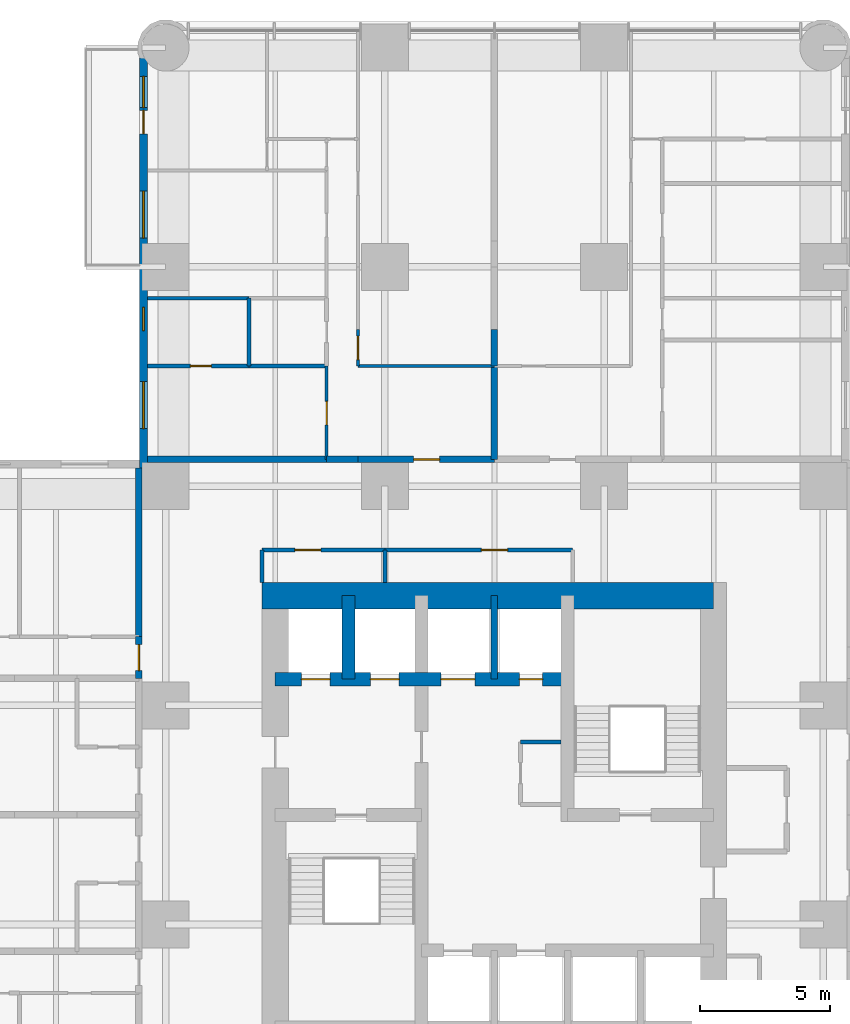
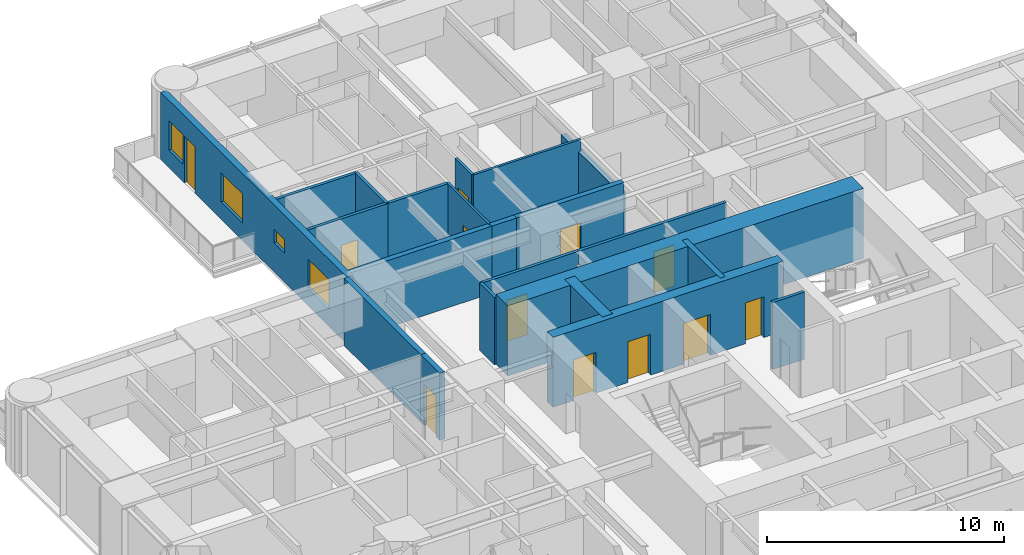
# One storey, part 12 of 17: 24 walls, 12 doors, 4 windows, 16 openings.
"""IFC4 building model written with IfcOpenShell, lengths in metres."""

from ifc_helpers import new_model, si_unit, direction, frame, frame_2d, origin, place, context, subcontext, project, spatial, rectangle, extrude, material, layer, layer_set, type_object, element, fill, save


model = new_model("IFC4")

# Units and contexts
model_context = context("Model", 3, precision=1e-05, world=origin(), true_north=direction((0.0, 1.0)))
body_context = subcontext(model_context, "Body", "Model", "MODEL_VIEW")
ifc_project = project(units=[si_unit("LENGTHUNIT", "METRE"), si_unit("AREAUNIT", "SQUARE_METRE"), si_unit("VOLUMEUNIT", "CUBIC_METRE"), si_unit("PLANEANGLEUNIT", "RADIAN"), si_unit("MASSUNIT", "GRAM", prefix="KILO")], contexts=[model_context])

# Site, building, storey
site_placement = place(None, origin())
site = spatial("IfcSite", under=ifc_project, at=site_placement, CompositionType="ELEMENT")
building_placement = place(site_placement, origin())
building = spatial("IfcBuilding", under=site, at=building_placement, Name="Torre Alcanfor", CompositionType="ELEMENT")
storey_placement = place(building_placement, frame((0.0, 0.0, 81.300048828125)))
storey = spatial("IfcBuildingStorey", under=building, at=storey_placement, Name="L20", CompositionType="ELEMENT", Elevation=81.300048828125)

# Wall, opening, door
ifc_material_1 = material(Name="Concrete block masonry, hollow blocks NMX-C-404 9 MPa", Category="masonry")
ifc_layer_1 = layer(ifc_material_1, 0.25)
ifc_layer_set_1 = layer_set([ifc_layer_1], Name="Apartment entrance wall 250 EI 60")
wall_type_1 = type_object("IfcWallType", Name="Apartment entrance wall 250 EI 60", PredefinedType="PARTITIONING", material=ifc_layer_set_1)
wall_1_placement = place(storey_placement, frame((24.1708984375, 43.02490234375, 0.0), z_axis=(0.0, 0.0, 1.0), x_axis=(1.0, 0.0, 0.0)))
wall_1 = element("IfcWall", 1, at=wall_1_placement, inside=storey, type_object=wall_type_1, Name="Partition L20-CORR / L20-N1-ZAG", PredefinedType="PARTITIONING", context=body_context, shape_type="SweptSolid", body=[
    extrude(rectangle(XDim=5.22900390625, YDim=0.25, at=frame_2d((2.614501953125, 0.0))), origin(), (0.0, 0.0, 1.0), 3.449951171875),
])
opening_1_placement = place(wall_1_placement, frame((2.12890625, 0.0, 0.0)))
opening_1 = element("IfcOpeningElement", 2, at=opening_1_placement, cuts=wall_1, Name="Opening D-A1", PredefinedType="OPENING", context=body_context, shape_type="SweptSolid", body=[
    extrude(rectangle(XDim=1.0, YDim=2.10009765625, at=frame_2d((0.5, 1.050048828125))), frame((0.0, 0.135009765625, 0.0), z_axis=(0.0, -1.0, 0.0), x_axis=(1.0, 0.0, 0.0)), (0.0, 0.0, 1.0), 0.27001953125),
])
ifc_material_2 = material(Name="Galvanised steel sheet ASTM A653", Category="steel")
door_type_1 = type_object("IfcDoorType", Name="Apartment entrance door FD60 1000x2100", OperationType="SINGLE_SWING_LEFT", PredefinedType="DOOR", material=ifc_material_2)
door_1_placement = place(opening_1_placement, origin())
door_1 = element("IfcDoor", 3, at=door_1_placement, inside=storey, type_object=door_type_1, Name="Apartment entrance L20-N1", OperationType="SINGLE_SWING_RIGHT", OverallHeight=2.10009765625, OverallWidth=1.0, PredefinedType="DOOR", context=body_context, shape_type="SweptSolid", body=[
    extrude(rectangle(XDim=1.0, YDim=2.10009765625, at=frame_2d((0.5, 1.050048828125))), frame((0.0, 0.02490234375, 0.0), z_axis=(0.0, -1.0, 0.0), x_axis=(1.0, 0.0, 0.0)), (0.0, 0.0, 1.0), 0.050048828125),
])
fill(opening_1, door_1)

# Walls
wall_2_placement = place(storey_placement, frame((22.970947265625, 43.02490234375, 0.0), z_axis=(0.0, 0.0, 1.0), x_axis=(1.0, 0.0, 0.0)))
element("IfcWall", 4, at=wall_2_placement, inside=storey, type_object=wall_type_1, Name="Partition L20-CORR / L20-N1-HALL", PredefinedType="PARTITIONING", context=body_context, shape_type="SweptSolid", body=[
    extrude(rectangle(XDim=1.199951171875, YDim=0.25, at=frame_2d((0.60009765625, 0.0))), origin(), (0.0, 0.0, 1.0), 3.449951171875),
])
wall_3_placement = place(storey_placement, frame((16.10009765625, 43.02490234375, 0.0), z_axis=(0.0, 0.0, 1.0), x_axis=(1.0, 0.0, 0.0)))
element("IfcWall", 5, at=wall_3_placement, inside=storey, type_object=wall_type_1, Name="Partition L20-CORR / L20-N1-SERV", PredefinedType="PARTITIONING", context=body_context, shape_type="SweptSolid", body=[
    extrude(rectangle(XDim=6.870849609375, YDim=0.25, at=frame_2d((3.435546875, 0.0))), origin(), (0.0, 0.0, 1.0), 3.449951171875),
])

# Wall, opening, door
wall_4_placement = place(storey_placement, frame((15.77490234375, 34.62890625, 0.0), z_axis=(0.0, 0.0, 1.0), x_axis=(0.0, 1.0, 0.0)))
wall_4 = element("IfcWall", 6, at=wall_4_placement, inside=storey, type_object=wall_type_1, Name="Partition L20-CORR / L20-W2B-HALL", PredefinedType="PARTITIONING", context=body_context, shape_type="SweptSolid", body=[
    extrude(rectangle(XDim=1.60009765625, YDim=0.25, at=frame_2d((0.800048828125, 0.0))), origin(), (0.0, 0.0, 1.0), 3.449951171875),
])
opening_2_placement = place(wall_4_placement, frame((0.300048828125, 0.0, 0.0)))
opening_2 = element("IfcOpeningElement", 7, at=opening_2_placement, cuts=wall_4, Name="Opening D-A1", PredefinedType="OPENING", context=body_context, shape_type="SweptSolid", body=[
    extrude(rectangle(XDim=1.0, YDim=2.10009765625, at=frame_2d((0.5, 1.050048828125))), frame((0.0, 0.135009765625, 0.0), z_axis=(0.0, -1.0, 0.0), x_axis=(1.0, 0.0, 0.0)), (0.0, 0.0, 1.0), 0.27001953125),
])
door_2_placement = place(opening_2_placement, origin())
door_2 = element("IfcDoor", 8, at=door_2_placement, inside=storey, type_object=door_type_1, Name="Apartment entrance L20-W2B", OperationType="SINGLE_SWING_LEFT", OverallHeight=2.10009765625, OverallWidth=1.0, PredefinedType="DOOR", context=body_context, shape_type="SweptSolid", body=[
    extrude(rectangle(XDim=1.0, YDim=2.10009765625, at=frame_2d((0.5, 1.050048828125))), frame((0.0, 0.02490234375, 0.0), z_axis=(0.0, -1.0, 0.0), x_axis=(1.0, 0.0, 0.0)), (0.0, 0.0, 1.0), 0.050048828125),
])
fill(opening_2, door_2)

# Walls
wall_5_placement = place(storey_placement, frame((15.77490234375, 36.22900390625, 0.0), z_axis=(0.0, 0.0, 1.0), x_axis=(0.0, 1.0, 0.0)))
element("IfcWall", 9, at=wall_5_placement, inside=storey, type_object=wall_type_1, Name="Partition L20-CORR / L20-W2B-MASTER", PredefinedType="PARTITIONING", context=body_context, shape_type="SweptSolid", body=[
    extrude(rectangle(XDim=6.470947265625, YDim=0.25, at=frame_2d((3.2353515625, 0.0))), origin(), (0.0, 0.0, 1.0), 3.449951171875),
])
ifc_material_3 = material(Name="Gypsum board on steel studs", Category="steel")
ifc_layer_2 = layer(ifc_material_3, 0.1201171875)
ifc_layer_set_2 = layer_set([ifc_layer_2], Name="Apartment partition 120")
wall_type_2 = type_object("IfcWallType", Name="Apartment partition 120", PredefinedType="PARTITIONING", material=ifc_layer_set_2)
wall_6_placement = place(storey_placement, frame((29.39990234375, 46.60009765625, 0.0), z_axis=(0.0, 0.0, 1.0), x_axis=(-1.0, 0.0, 0.0)))
element("IfcWall", 10, at=wall_6_placement, inside=storey, type_object=wall_type_2, Name="Partition L20-N1-ZAG / L20-N1-LAUND", PredefinedType="PARTITIONING", context=body_context, shape_type="SweptSolid", body=[
    extrude(rectangle(XDim=5.22900390625, YDim=0.1201171875, at=frame_2d((2.614501953125, 0.0))), origin(), (0.0, 0.0, 1.0), 3.449951171875),
])

# Wall, opening, door
wall_7_placement = place(storey_placement, frame((24.1708984375, 48.0, 0.0), z_axis=(0.0, 0.0, 1.0), x_axis=(0.0, -1.0, 0.0)))
wall_7 = element("IfcWall", 11, at=wall_7_placement, inside=storey, type_object=wall_type_2, Name="Partition L20-N1-LAUND / L20-N1-HALL", PredefinedType="PARTITIONING", context=body_context, shape_type="SweptSolid", body=[
    extrude(rectangle(XDim=1.39990234375, YDim=0.1201171875, at=frame_2d((0.699951171875, 0.0))), origin(), (0.0, 0.0, 1.0), 3.449951171875),
])
opening_3_placement = place(wall_7_placement, frame((0.25, 0.0, 0.0)))
opening_3 = element("IfcOpeningElement", 12, at=opening_3_placement, cuts=wall_7, Name="Opening D-R1", PredefinedType="OPENING", context=body_context, shape_type="SweptSolid", body=[
    extrude(rectangle(XDim=0.89990234375, YDim=2.10009765625, at=frame_2d((0.449951171875, 1.050048828125))), frame((0.0, 0.070068359375, 0.0), z_axis=(0.0, -1.0, 0.0), x_axis=(1.0, 0.0, 0.0)), (0.0, 0.0, 1.0), 0.14013671875),
])
ifc_material_4 = material(Name="Timber", Category="wood")
door_type_2 = type_object("IfcDoorType", Name="Internal door 900x2100", OperationType="SINGLE_SWING_LEFT", PredefinedType="DOOR", material=ifc_material_4)
door_3_placement = place(opening_3_placement, origin())
door_3 = element("IfcDoor", 13, at=door_3_placement, inside=storey, type_object=door_type_2, Name="Door L20-N1 laund", OperationType="SINGLE_SWING_LEFT", OverallHeight=2.10009765625, OverallWidth=0.89990234375, PredefinedType="DOOR", context=body_context, shape_type="SweptSolid", body=[
    extrude(rectangle(XDim=0.89990234375, YDim=2.10009765625, at=frame_2d((0.449951171875, 1.050048828125))), frame((0.0, 0.02490234375, 0.0), z_axis=(0.0, -1.0, 0.0), x_axis=(1.0, 0.0, 0.0)), (0.0, 0.0, 1.0), 0.050048828125),
])
fill(opening_3, door_3)

wall_8_placement = place(storey_placement, frame((22.970947265625, 46.60009765625, 0.0), z_axis=(0.0, 0.0, 1.0), x_axis=(0.0, -1.0, 0.0)))
wall_8 = element("IfcWall", 14, at=wall_8_placement, inside=storey, type_object=wall_type_2, Name="Partition L20-N1-HALL / L20-N1-SERV", PredefinedType="PARTITIONING", context=body_context, shape_type="SweptSolid", body=[
    extrude(rectangle(XDim=3.5751953125, YDim=0.1201171875, at=frame_2d((1.78759765625, 0.0))), origin(), (0.0, 0.0, 1.0), 3.449951171875),
])
opening_4_placement = place(wall_8_placement, frame((1.35009765625, 0.0, 0.0)))
opening_4 = element("IfcOpeningElement", 15, at=opening_4_placement, cuts=wall_8, Name="Opening D-R1", PredefinedType="OPENING", context=body_context, shape_type="SweptSolid", body=[
    extrude(rectangle(XDim=0.89990234375, YDim=2.10009765625, at=frame_2d((0.449951171875, 1.050048828125))), frame((0.0, 0.070068359375, 0.0), z_axis=(0.0, -1.0, 0.0), x_axis=(1.0, 0.0, 0.0)), (0.0, 0.0, 1.0), 0.14013671875),
])
door_4_placement = place(opening_4_placement, frame((0.89990234375, 0.0, 0.0), z_axis=(0.0, 0.0, 1.0), x_axis=(-1.0, 0.0, 0.0)))
door_4 = element("IfcDoor", 16, at=door_4_placement, inside=storey, type_object=door_type_2, Name="Door L20-N1 serv", OperationType="SINGLE_SWING_LEFT", OverallHeight=2.10009765625, OverallWidth=0.89990234375, PredefinedType="DOOR", context=body_context, shape_type="SweptSolid", body=[
    extrude(rectangle(XDim=0.89990234375, YDim=2.10009765625, at=frame_2d((0.449951171875, 1.050048828125))), frame((0.0, 0.025146484375, 0.0), z_axis=(0.0, -1.0, 0.0), x_axis=(1.0, 0.0, 0.0)), (0.0, 0.0, 1.0), 0.050048828125),
])
fill(opening_4, door_4)

# Wall, openings, doors
ifc_material_5 = material(Name="Concrete f'c 70 MPa", Category="concrete")
ifc_layer_3 = layer(ifc_material_5, 0.5)
ifc_layer_set_3 = layer_set([ifc_layer_3], Name="Core inner wall 500 f'c70")
wall_type_3 = type_object("IfcWallType", Name="Core inner wall 500 f'c70", PredefinedType="SHEAR", material=ifc_layer_set_3)
wall_9_placement = place(storey_placement, frame((21.0, 34.60009765625, 0.0), z_axis=(0.0, 0.0, 1.0), x_axis=(1.0, 0.0, 0.0)))
wall_9 = element("IfcWall", 17, at=wall_9_placement, inside=storey, type_object=wall_type_3, Name="Core wall Y346 L20", PredefinedType="SHEAR", context=body_context, shape_type="SweptSolid", body=[
    extrude(rectangle(XDim=11.199951171875, YDim=0.5, at=frame_2d((5.60009765625, 0.0))), origin(), (0.0, 0.0, 1.0), 3.599853515625),
])
opening_5_placement = place(wall_9_placement, frame((9.35009765625, 0.0, 0.0)))
opening_5 = element("IfcOpeningElement", 18, at=opening_5_placement, cuts=wall_9, Name="Opening D-Q1", PredefinedType="OPENING", context=body_context, shape_type="SweptSolid", body=[
    extrude(rectangle(XDim=0.89990234375, YDim=2.10009765625, at=frame_2d((0.449951171875, 1.050048828125))), frame((0.0, 0.260009765625, 0.0), z_axis=(0.0, -1.0, 0.0), x_axis=(1.0, 0.0, 0.0)), (0.0, 0.0, 1.0), 0.52001953125),
])
opening_6_placement = place(wall_9_placement, frame((1.0, 0.0, 0.0)))
opening_6 = element("IfcOpeningElement", 19, at=opening_6_placement, cuts=wall_9, Name="Opening LD2", PredefinedType="OPENING", context=body_context, shape_type="SweptSolid", body=[
    extrude(rectangle(XDim=1.10009765625, YDim=2.10009765625, at=frame_2d((0.550048828125, 1.050048828125))), frame((0.0, 0.260009765625, 0.0), z_axis=(0.0, -1.0, 0.0), x_axis=(1.0, 0.0, 0.0)), (0.0, 0.0, 1.0), 0.52001953125),
])
opening_7_placement = place(wall_9_placement, frame((3.64990234375, 0.0, 0.0)))
opening_7 = element("IfcOpeningElement", 20, at=opening_7_placement, cuts=wall_9, Name="Opening LD2", PredefinedType="OPENING", context=body_context, shape_type="SweptSolid", body=[
    extrude(rectangle(XDim=1.10009765625, YDim=2.10009765625, at=frame_2d((0.550048828125, 1.050048828125))), frame((0.0, 0.260009765625, 0.0), z_axis=(0.0, -1.0, 0.0), x_axis=(1.0, 0.0, 0.0)), (0.0, 0.0, 1.0), 0.52001953125),
])
opening_8_placement = place(wall_9_placement, frame((6.35009765625, 0.0, 0.0)))
opening_8 = element("IfcOpeningElement", 21, at=opening_8_placement, cuts=wall_9, Name="Opening LD3", PredefinedType="OPENING", context=body_context, shape_type="SweptSolid", body=[
    extrude(rectangle(XDim=1.300048828125, YDim=2.10009765625, at=frame_2d((0.64990234375, 1.050048828125))), frame((0.0, 0.260009765625, 0.0), z_axis=(0.0, -1.0, 0.0), x_axis=(1.0, 0.0, 0.0)), (0.0, 0.0, 1.0), 0.52001953125),
])
ifc_material_6 = material(Name="Galvanised steel sheet ASTM A653", Category="steel")
door_type_3 = type_object("IfcDoorType", Name="Firefighting lift landing door 1100x2100", OperationType="DOUBLE_DOOR_SLIDING", PredefinedType="DOOR", material=ifc_material_6)
door_5_placement = place(opening_6_placement, origin())
door_5 = element("IfcDoor", 22, at=door_5_placement, inside=storey, type_object=door_type_3, Name="Lift landing door FL1 L20", OperationType="DOUBLE_DOOR_SLIDING", OverallHeight=2.10009765625, OverallWidth=1.10009765625, PredefinedType="DOOR", context=body_context, shape_type="SweptSolid", body=[
    extrude(rectangle(XDim=1.10009765625, YDim=2.10009765625, at=frame_2d((0.550048828125, 1.050048828125))), frame((0.0, 0.02490234375, 0.0), z_axis=(0.0, -1.0, 0.0), x_axis=(1.0, 0.0, 0.0)), (0.0, 0.0, 1.0), 0.050048828125),
])
fill(opening_6, door_5)
door_6_placement = place(opening_7_placement, origin())
door_6 = element("IfcDoor", 23, at=door_6_placement, inside=storey, type_object=door_type_3, Name="Lift landing door FL2 L20", OperationType="DOUBLE_DOOR_SLIDING", OverallHeight=2.10009765625, OverallWidth=1.10009765625, PredefinedType="DOOR", context=body_context, shape_type="SweptSolid", body=[
    extrude(rectangle(XDim=1.10009765625, YDim=2.10009765625, at=frame_2d((0.550048828125, 1.050048828125))), frame((0.0, 0.02490234375, 0.0), z_axis=(0.0, -1.0, 0.0), x_axis=(1.0, 0.0, 0.0)), (0.0, 0.0, 1.0), 0.050048828125),
])
fill(opening_7, door_6)
ifc_material_7 = material(Name="Galvanised steel sheet ASTM A653", Category="steel")
door_type_4 = type_object("IfcDoorType", Name="Riser access door FD120 900x2100", OperationType="SINGLE_SWING_LEFT", PredefinedType="DOOR", material=ifc_material_7)
door_7_placement = place(opening_5_placement, origin())
door_7 = element("IfcDoor", 24, at=door_7_placement, inside=storey, type_object=door_type_4, Name="Riser door L20", OperationType="SINGLE_SWING_LEFT", OverallHeight=2.10009765625, OverallWidth=0.89990234375, PredefinedType="DOOR", context=body_context, shape_type="SweptSolid", body=[
    extrude(rectangle(XDim=0.89990234375, YDim=2.10009765625, at=frame_2d((0.449951171875, 1.050048828125))), frame((0.0, 0.02490234375, 0.0), z_axis=(0.0, -1.0, 0.0), x_axis=(1.0, 0.0, 0.0)), (0.0, 0.0, 1.0), 0.050048828125),
])
fill(opening_5, door_7)
ifc_material_8 = material(Name="Galvanised steel sheet ASTM A653", Category="steel")
door_type_5 = type_object("IfcDoorType", Name="Service lift landing door 1300x2100", OperationType="DOUBLE_DOOR_SLIDING", PredefinedType="DOOR", material=ifc_material_8)
door_8_placement = place(opening_8_placement, origin())
door_8 = element("IfcDoor", 25, at=door_8_placement, inside=storey, type_object=door_type_5, Name="Lift landing door SL1 L20", OperationType="DOUBLE_DOOR_SLIDING", OverallHeight=2.10009765625, OverallWidth=1.300048828125, PredefinedType="DOOR", context=body_context, shape_type="SweptSolid", body=[
    extrude(rectangle(XDim=1.300048828125, YDim=2.10009765625, at=frame_2d((0.64990234375, 1.050048828125))), frame((0.0, 0.02490234375, 0.0), z_axis=(0.0, -1.0, 0.0), x_axis=(1.0, 0.0, 0.0)), (0.0, 0.0, 1.0), 0.050048828125),
])
fill(opening_8, door_8)

# Walls
wall_10_placement = place(storey_placement, frame((23.800048828125, 34.60009765625, 0.0), z_axis=(0.0, 0.0, 1.0), x_axis=(0.0, 1.0, 0.0)))
element("IfcWall", 26, at=wall_10_placement, inside=storey, type_object=wall_type_3, Name="Core wall X238 L20", PredefinedType="SHEAR", context=body_context, shape_type="SweptSolid", body=[
    extrude(rectangle(XDim=3.199951171875, YDim=0.5, at=frame_2d((1.60009765625, 0.0))), origin(), (0.0, 0.0, 1.0), 3.599853515625),
])
ifc_material_9 = material(Name="Concrete f'c 70 MPa", Category="concrete")
ifc_layer_4 = layer(ifc_material_9, 0.25)
ifc_layer_set_4 = layer_set([ifc_layer_4], Name="Core shaft wall 250 f'c70")
wall_type_4 = type_object("IfcWallType", Name="Core shaft wall 250 f'c70", PredefinedType="SHEAR", material=ifc_layer_set_4)
wall_11_placement = place(storey_placement, frame((29.39990234375, 34.60009765625, 0.0), z_axis=(0.0, 0.0, 1.0), x_axis=(0.0, 1.0, 0.0)))
element("IfcWall", 27, at=wall_11_placement, inside=storey, type_object=wall_type_4, Name="Core wall X294N L20", PredefinedType="SHEAR", context=body_context, shape_type="SweptSolid", body=[
    extrude(rectangle(XDim=3.199951171875, YDim=0.25, at=frame_2d((1.60009765625, 0.0))), origin(), (0.0, 0.0, 1.0), 3.599853515625),
])
ifc_material_10 = material(Name="Concrete f'c 70 MPa", Category="concrete")
ifc_layer_5 = layer(ifc_material_10, 1.0)
ifc_layer_set_5 = layer_set([ifc_layer_5], Name="Core wall 1000 f'c70")
wall_type_5 = type_object("IfcWallType", Name="Core wall 1000 f'c70", PredefinedType="SHEAR", material=ifc_layer_set_5)
wall_12_placement = place(storey_placement, frame((37.800048828125, 37.800048828125, 0.0), z_axis=(0.0, 0.0, 1.0), x_axis=(-1.0, 0.0, 0.0)))
element("IfcWall", 28, at=wall_12_placement, inside=storey, type_object=wall_type_5, Name="Core wall OUT-N L20", PredefinedType="SHEAR", context=body_context, shape_type="SweptSolid", body=[
    extrude(rectangle(XDim=17.300048828125, YDim=1.0, at=frame_2d((8.64990234375, 0.0))), origin(), (0.0, 0.0, 1.0), 3.599853515625),
])

# Wall, openings, door, windows
ifc_material_11 = material(Name="Limestone cladding", Category="masonry")
ifc_layer_6 = layer(ifc_material_11, 0.0400390625, Name="Facing")
ifc_material_12 = material(Name="Ventilated air cavity")
ifc_layer_7 = layer(ifc_material_12, 0.02001953125, ventilated=True, Name="Ventilated joint")
ifc_material_13 = material(Name="Mineral wool insulation", Category="insulation")
ifc_layer_8 = layer(ifc_material_13, 0.10009765625, Name="Insulation")
ifc_material_14 = material(Name="Concrete f'c 35 MPa", Category="concrete")
ifc_layer_9 = layer(ifc_material_14, 0.139892578125, Name="Backing")
ifc_layer_set_6 = layer_set([ifc_layer_6, ifc_layer_7, ifc_layer_8, ifc_layer_9], Name="External wall stone-clad 300")
wall_type_6 = type_object("IfcWallType", Name="External wall stone-clad 300", PredefinedType="SOLIDWALL", material=ifc_layer_set_6)
wall_13_placement = place(storey_placement, frame((15.949951171875, 58.39990234375, 0.0), z_axis=(0.0, 0.0, 1.0), x_axis=(0.0, -1.0, 0.0)))
wall_13 = element("IfcWall", 29, at=wall_13_placement, inside=storey, type_object=wall_type_6, Name="External wall L20 12", PredefinedType="SOLIDWALL", context=body_context, shape_type="SweptSolid", body=[
    extrude(rectangle(XDim=15.699951171875, YDim=0.300048828125, at=frame_2d((7.85009765625, 0.0))), origin(), (0.0, 0.0, 1.0), 3.449951171875),
])
opening_9_placement = place(wall_13_placement, frame((12.39990234375, 0.0, 0.89990234375)))
opening_9 = element("IfcOpeningElement", 30, at=opening_9_placement, cuts=wall_13, Name="Opening W2", PredefinedType="OPENING", context=body_context, shape_type="SweptSolid", body=[
    extrude(rectangle(XDim=1.800048828125, YDim=1.5, at=frame_2d((0.89990234375, 0.75))), frame((0.0, 0.159912109375, 0.0), z_axis=(0.0, -1.0, 0.0), x_axis=(1.0, 0.0, 0.0)), (0.0, 0.0, 1.0), 0.320068359375),
])
opening_10_placement = place(wall_13_placement, frame((9.550048828125, 0.0, 1.5)))
opening_10 = element("IfcOpeningElement", 31, at=opening_10_placement, cuts=wall_13, Name="Opening W3", PredefinedType="OPENING", context=body_context, shape_type="SweptSolid", body=[
    extrude(rectangle(XDim=0.89990234375, YDim=0.699951171875, at=frame_2d((0.449951171875, 0.35009765625))), frame((0.0, 0.159912109375, 0.0), z_axis=(0.0, -1.0, 0.0), x_axis=(1.0, 0.0, 0.0)), (0.0, 0.0, 1.0), 0.320068359375),
])
opening_11_placement = place(wall_13_placement, frame((5.10009765625, 0.0, 0.89990234375)))
opening_11 = element("IfcOpeningElement", 32, at=opening_11_placement, cuts=wall_13, Name="Opening W2", PredefinedType="OPENING", context=body_context, shape_type="SweptSolid", body=[
    extrude(rectangle(XDim=1.800048828125, YDim=1.5, at=frame_2d((0.89990234375, 0.75))), frame((0.0, 0.159912109375, 0.0), z_axis=(0.0, -1.0, 0.0), x_axis=(1.0, 0.0, 0.0)), (0.0, 0.0, 1.0), 0.320068359375),
])
opening_12_placement = place(wall_13_placement, frame((2.0, 0.0, 0.0)))
opening_12 = element("IfcOpeningElement", 33, at=opening_12_placement, cuts=wall_13, Name="Opening D-B1", PredefinedType="OPENING", context=body_context, shape_type="SweptSolid", body=[
    extrude(rectangle(XDim=0.89990234375, YDim=2.39990234375, at=frame_2d((0.449951171875, 1.199951171875))), frame((0.0, 0.159912109375, 0.0), z_axis=(0.0, -1.0, 0.0), x_axis=(1.0, 0.0, 0.0)), (0.0, 0.0, 1.0), 0.320068359375),
])
opening_13_placement = place(wall_13_placement, frame((0.699951171875, 0.0, 0.89990234375)))
opening_13 = element("IfcOpeningElement", 34, at=opening_13_placement, cuts=wall_13, Name="Opening W4", PredefinedType="OPENING", context=body_context, shape_type="SweptSolid", body=[
    extrude(rectangle(XDim=1.199951171875, YDim=1.5, at=frame_2d((0.60009765625, 0.75))), frame((0.0, 0.159912109375, 0.0), z_axis=(0.0, -1.0, 0.0), x_axis=(1.0, 0.0, 0.0)), (0.0, 0.0, 1.0), 0.320068359375),
])
ifc_material_15 = material(Name="Aluminium and glass", Category="aluminium")
door_type_6 = type_object("IfcDoorType", Name="Balcony door glazed 900x2400", OperationType="SINGLE_SWING_LEFT", PredefinedType="DOOR", material=ifc_material_15)
door_9_placement = place(opening_12_placement, origin())
door_9 = element("IfcDoor", 35, at=door_9_placement, inside=storey, type_object=door_type_6, Name="Balcony door L20-N1", OperationType="SINGLE_SWING_RIGHT", OverallHeight=2.39990234375, OverallWidth=0.89990234375, PredefinedType="DOOR", context=body_context, shape_type="SweptSolid", body=[
    extrude(rectangle(XDim=0.89990234375, YDim=2.39990234375, at=frame_2d((0.449951171875, 1.199951171875))), frame((0.0, 0.02490234375, 0.0), z_axis=(0.0, -1.0, 0.0), x_axis=(1.0, 0.0, 0.0)), (0.0, 0.0, 1.0), 0.050048828125),
])
fill(opening_12, door_9)
ifc_material_16 = material(Name="Aluminium frame with clear double glazing", Category="aluminium")
window_type_1 = type_object("IfcWindowType", Name="Window bathroom 900x700", PartitioningType="SINGLE_PANEL", PredefinedType="WINDOW", material=ifc_material_16)
window_1_placement = place(opening_10_placement, origin())
window_1 = element("IfcWindow", 36, at=window_1_placement, inside=storey, type_object=window_type_1, Name="Window W3 L20-N1", OverallHeight=0.699951171875, OverallWidth=0.89990234375, PartitioningType="SINGLE_PANEL", PredefinedType="WINDOW", context=body_context, shape_type="SweptSolid", body=[
    extrude(rectangle(XDim=0.89990234375, YDim=0.699951171875, at=frame_2d((0.449951171875, 0.35009765625))), frame((0.0, 0.030029296875, 0.0), z_axis=(0.0, -1.0, 0.0), x_axis=(1.0, 0.0, 0.0)), (0.0, 0.0, 1.0), 0.06005859375),
])
fill(opening_10, window_1)
ifc_material_17 = material(Name="Aluminium frame with clear double glazing", Category="aluminium")
window_type_2 = type_object("IfcWindowType", Name="Window bedroom 1200x1500", PartitioningType="SINGLE_PANEL", PredefinedType="WINDOW", material=ifc_material_17)
window_2_placement = place(opening_13_placement, origin())
window_2 = element("IfcWindow", 37, at=window_2_placement, inside=storey, type_object=window_type_2, Name="Window W4 L20-N1", OverallHeight=1.5, OverallWidth=1.199951171875, PartitioningType="SINGLE_PANEL", PredefinedType="WINDOW", context=body_context, shape_type="SweptSolid", body=[
    extrude(rectangle(XDim=1.199951171875, YDim=1.5, at=frame_2d((0.60009765625, 0.75))), frame((0.0, 0.030029296875, 0.0), z_axis=(0.0, -1.0, 0.0), x_axis=(1.0, 0.0, 0.0)), (0.0, 0.0, 1.0), 0.06005859375),
])
fill(opening_13, window_2)
ifc_material_18 = material(Name="Aluminium frame with clear double glazing", Category="aluminium")
window_type_3 = type_object("IfcWindowType", Name="Window bedroom 1800x1500", PartitioningType="SINGLE_PANEL", PredefinedType="WINDOW", material=ifc_material_18)
window_3_placement = place(opening_9_placement, origin())
window_3 = element("IfcWindow", 38, at=window_3_placement, inside=storey, type_object=window_type_3, Name="Window W2 L20-N1", OverallHeight=1.5, OverallWidth=1.800048828125, PartitioningType="SINGLE_PANEL", PredefinedType="WINDOW", context=body_context, shape_type="SweptSolid", body=[
    extrude(rectangle(XDim=1.800048828125, YDim=1.5, at=frame_2d((0.89990234375, 0.75))), frame((0.0, 0.030029296875, 0.0), z_axis=(0.0, -1.0, 0.0), x_axis=(1.0, 0.0, 0.0)), (0.0, 0.0, 1.0), 0.06005859375),
])
fill(opening_9, window_3)
window_4_placement = place(opening_11_placement, origin())
window_4 = element("IfcWindow", 39, at=window_4_placement, inside=storey, type_object=window_type_3, Name="Window W2 L20-N1", OverallHeight=1.5, OverallWidth=1.800048828125, PartitioningType="SINGLE_PANEL", PredefinedType="WINDOW", context=body_context, shape_type="SweptSolid", body=[
    extrude(rectangle(XDim=1.800048828125, YDim=1.5, at=frame_2d((0.89990234375, 0.75))), frame((0.0, 0.030029296875, 0.0), z_axis=(0.0, -1.0, 0.0), x_axis=(1.0, 0.0, 0.0)), (0.0, 0.0, 1.0), 0.06005859375),
])
fill(opening_11, window_4)

# Walls
ifc_material_19 = material(Name="Concrete block masonry, hollow blocks NMX-C-404 9 MPa", Category="masonry")
ifc_layer_10 = layer(ifc_material_19, 0.25)
ifc_layer_set_7 = layer_set([ifc_layer_10], Name="Party wall 250 EI 60")
wall_type_7 = type_object("IfcWallType", Name="Party wall 250 EI 60", PredefinedType="PARTITIONING", material=ifc_layer_set_7)
wall_14_placement = place(storey_placement, frame((29.39990234375, 43.02490234375, 0.0), z_axis=(0.0, 0.0, 1.0), x_axis=(0.0, 1.0, 0.0)))
element("IfcWall", 40, at=wall_14_placement, inside=storey, type_object=wall_type_7, Name="Partition L20-N1-ZAG / L20-N2-ZAG", PredefinedType="PARTITIONING", context=body_context, shape_type="SweptSolid", body=[
    extrude(rectangle(XDim=3.5751953125, YDim=0.25, at=frame_2d((1.78759765625, 0.0))), origin(), (0.0, 0.0, 1.0), 2.847900390625),
])
wall_15_placement = place(storey_placement, frame((29.39990234375, 46.60009765625, 0.0), z_axis=(0.0, 0.0, 1.0), x_axis=(0.0, 1.0, 0.0)))
element("IfcWall", 41, at=wall_15_placement, inside=storey, type_object=wall_type_7, Name="Partition L20-N1-LAUND / L20-N2-KITCHEN", PredefinedType="PARTITIONING", context=body_context, shape_type="SweptSolid", body=[
    extrude(rectangle(XDim=1.39990234375, YDim=0.25, at=frame_2d((0.699951171875, 0.0))), origin(), (0.0, 0.0, 1.0), 2.847900390625),
])

# Wall, opening, door
ifc_material_20 = material(Name="Concrete block masonry, hollow blocks NMX-C-404 9 MPa", Category="masonry")
ifc_layer_11 = layer(ifc_material_20, 0.14990234375)
ifc_layer_set_8 = layer_set([ifc_layer_11], Name="Residents' room partition 150")
wall_type_8 = type_object("IfcWallType", Name="Residents' room partition 150", PredefinedType="PARTITIONING", material=ifc_layer_set_8)
wall_16_placement = place(storey_placement, frame((25.199951171875, 39.550048828125, 0.0), z_axis=(0.0, 0.0, 1.0), x_axis=(-1.0, 0.0, 0.0)))
wall_16 = element("IfcWall", 42, at=wall_16_placement, inside=storey, type_object=wall_type_8, Name="Partition L20-CORR / L20-G01", PredefinedType="PARTITIONING", context=body_context, shape_type="SweptSolid", body=[
    extrude(rectangle(XDim=4.699951171875, YDim=0.14990234375, at=frame_2d((2.35009765625, 0.0))), origin(), (0.0, 0.0, 1.0), 3.449951171875),
])
opening_14_placement = place(wall_16_placement, frame((2.449951171875, 0.0, 0.0)))
opening_14 = element("IfcOpeningElement", 43, at=opening_14_placement, cuts=wall_16, Name="Opening D-M1", PredefinedType="OPENING", context=body_context, shape_type="SweptSolid", body=[
    extrude(rectangle(XDim=1.0, YDim=2.10009765625, at=frame_2d((0.5, 1.050048828125))), frame((0.0, 0.0849609375, 0.0), z_axis=(0.0, -1.0, 0.0), x_axis=(1.0, 0.0, 0.0)), (0.0, 0.0, 1.0), 0.169921875),
])
ifc_material_21 = material(Name="Timber", Category="wood")
door_type_7 = type_object("IfcDoorType", Name="Residents' room door 1000x2100", OperationType="SINGLE_SWING_LEFT", PredefinedType="DOOR", material=ifc_material_21)
door_10_placement = place(opening_14_placement, origin())
door_10 = element("IfcDoor", 44, at=door_10_placement, inside=storey, type_object=door_type_7, Name="Door L20-G01 cleaners' store", OperationType="SINGLE_SWING_RIGHT", OverallHeight=2.10009765625, OverallWidth=1.0, PredefinedType="DOOR", context=body_context, shape_type="SweptSolid", body=[
    extrude(rectangle(XDim=1.0, YDim=2.10009765625, at=frame_2d((0.5, 1.050048828125))), frame((0.0, 0.02490234375, 0.0), z_axis=(0.0, -1.0, 0.0), x_axis=(1.0, 0.0, 0.0)), (0.0, 0.0, 1.0), 0.050048828125),
])
fill(opening_14, door_10)

# Wall
wall_17_placement = place(storey_placement, frame((20.5, 39.550048828125, 0.0), z_axis=(0.0, 0.0, 1.0), x_axis=(0.0, -1.0, 0.0)))
element("IfcWall", 45, at=wall_17_placement, inside=storey, type_object=wall_type_8, Name="Partition L20-CORR / L20-G01", PredefinedType="PARTITIONING", context=body_context, shape_type="SweptSolid", body=[
    extrude(rectangle(XDim=1.25, YDim=0.14990234375, at=frame_2d((0.625, 0.0))), origin(), (0.0, 0.0, 1.0), 3.449951171875),
])

# Wall, opening, door
wall_18_placement = place(storey_placement, frame((32.39990234375, 39.550048828125, 0.0), z_axis=(0.0, 0.0, 1.0), x_axis=(-1.0, 0.0, 0.0)))
wall_18 = element("IfcWall", 46, at=wall_18_placement, inside=storey, type_object=wall_type_8, Name="Partition L20-CORR / L20-G02", PredefinedType="PARTITIONING", context=body_context, shape_type="SweptSolid", body=[
    extrude(rectangle(XDim=7.199951171875, YDim=0.14990234375, at=frame_2d((3.60009765625, 0.0))), origin(), (0.0, 0.0, 1.0), 3.449951171875),
])
opening_15_placement = place(wall_18_placement, frame((2.5, 0.0, 0.0)))
opening_15 = element("IfcOpeningElement", 47, at=opening_15_placement, cuts=wall_18, Name="Opening D-M1", PredefinedType="OPENING", context=body_context, shape_type="SweptSolid", body=[
    extrude(rectangle(XDim=1.0, YDim=2.10009765625, at=frame_2d((0.5, 1.050048828125))), frame((0.0, 0.0849609375, 0.0), z_axis=(0.0, -1.0, 0.0), x_axis=(1.0, 0.0, 0.0)), (0.0, 0.0, 1.0), 0.169921875),
])
door_11_placement = place(opening_15_placement, origin())
door_11 = element("IfcDoor", 48, at=door_11_placement, inside=storey, type_object=door_type_7, Name="Door L20-G02 pram and buggy store", OperationType="SINGLE_SWING_LEFT", OverallHeight=2.10009765625, OverallWidth=1.0, PredefinedType="DOOR", context=body_context, shape_type="SweptSolid", body=[
    extrude(rectangle(XDim=1.0, YDim=2.10009765625, at=frame_2d((0.5, 1.050048828125))), frame((0.0, 0.02490234375, 0.0), z_axis=(0.0, -1.0, 0.0), x_axis=(1.0, 0.0, 0.0)), (0.0, 0.0, 1.0), 0.050048828125),
])
fill(opening_15, door_11)

# Walls
wall_19_placement = place(storey_placement, frame((25.199951171875, 38.300048828125, 0.0), z_axis=(0.0, 0.0, 1.0), x_axis=(0.0, 1.0, 0.0)))
element("IfcWall", 49, at=wall_19_placement, inside=storey, type_object=wall_type_8, Name="Partition L20-G01 / L20-G02", PredefinedType="PARTITIONING", context=body_context, shape_type="SweptSolid", body=[
    extrude(rectangle(XDim=1.25, YDim=0.14990234375, at=frame_2d((0.625, 0.0))), origin(), (0.0, 0.0, 1.0), 2.7666015625),
])
wall_20_placement = place(storey_placement, frame((30.39990234375, 32.199951171875, 0.0), z_axis=(0.0, 0.0, 1.0), x_axis=(1.0, 0.0, 0.0)))
element("IfcWall", 50, at=wall_20_placement, inside=storey, type_object=wall_type_8, Name="Partition L20-LL / L20-CR1", PredefinedType="PARTITIONING", context=body_context, shape_type="SweptSolid", body=[
    extrude(rectangle(XDim=1.550048828125, YDim=0.14990234375, at=frame_2d((0.77490234375, 0.0))), origin(), (0.0, 0.0, 1.0), 3.449951171875),
])
ifc_material_22 = material(Name="Cement board on steel studs", Category="steel")
ifc_layer_12 = layer(ifc_material_22, 0.14990234375)
ifc_layer_set_9 = layer_set([ifc_layer_12], Name="Wet area partition 150")
wall_type_9 = type_object("IfcWallType", Name="Wet area partition 150", PredefinedType="PARTITIONING", material=ifc_layer_set_9)
wall_21_placement = place(storey_placement, frame((22.970947265625, 46.60009765625, 0.0), z_axis=(0.0, 0.0, 1.0), x_axis=(-1.0, 0.0, 0.0)))
element("IfcWall", 51, at=wall_21_placement, inside=storey, type_object=wall_type_9, Name="Partition L20-N1-SERV / L20-N1-BATH1", PredefinedType="PARTITIONING", context=body_context, shape_type="SweptSolid", body=[
    extrude(rectangle(XDim=2.970947265625, YDim=0.14990234375, at=frame_2d((1.4853515625, 0.0))), origin(), (0.0, 0.0, 1.0), 3.449951171875),
])

# Wall, opening, door
wall_22_placement = place(storey_placement, frame((20.0, 46.60009765625, 0.0), z_axis=(0.0, 0.0, 1.0), x_axis=(-1.0, 0.0, 0.0)))
wall_22 = element("IfcWall", 52, at=wall_22_placement, inside=storey, type_object=wall_type_9, Name="Partition L20-N1-SERV / L20-N1-SBATH", PredefinedType="PARTITIONING", context=body_context, shape_type="SweptSolid", body=[
    extrude(rectangle(XDim=3.89990234375, YDim=0.14990234375, at=frame_2d((1.949951171875, 0.0))), origin(), (0.0, 0.0, 1.0), 3.449951171875),
])
opening_16_placement = place(wall_22_placement, frame((1.449951171875, 0.0, 0.0)))
opening_16 = element("IfcOpeningElement", 53, at=opening_16_placement, cuts=wall_22, Name="Opening D-R2", PredefinedType="OPENING", context=body_context, shape_type="SweptSolid", body=[
    extrude(rectangle(XDim=0.800048828125, YDim=2.10009765625, at=frame_2d((0.39990234375, 1.050048828125))), frame((0.0, 0.0849609375, 0.0), z_axis=(0.0, -1.0, 0.0), x_axis=(1.0, 0.0, 0.0)), (0.0, 0.0, 1.0), 0.169921875),
])
ifc_material_23 = material(Name="Timber", Category="wood")
door_type_8 = type_object("IfcDoorType", Name="Bathroom door 800x2100", OperationType="SINGLE_SWING_LEFT", PredefinedType="DOOR", material=ifc_material_23)
door_12_placement = place(opening_16_placement, frame((0.800048828125, 0.0, 0.0), z_axis=(0.0, 0.0, 1.0), x_axis=(-1.0, 0.0, 0.0)))
door_12 = element("IfcDoor", 54, at=door_12_placement, inside=storey, type_object=door_type_8, Name="Door L20-N1 sbath", OperationType="SINGLE_SWING_RIGHT", OverallHeight=2.10009765625, OverallWidth=0.800048828125, PredefinedType="DOOR", context=body_context, shape_type="SweptSolid", body=[
    extrude(rectangle(XDim=0.800048828125, YDim=2.10009765625, at=frame_2d((0.400146484375, 1.050048828125))), frame((0.0, 0.025146484375, 0.0), z_axis=(0.0, -1.0, 0.0), x_axis=(1.0, 0.0, 0.0)), (0.0, 0.0, 1.0), 0.050048828125),
])
fill(opening_16, door_12)

# Walls
wall_23_placement = place(storey_placement, frame((20.0, 49.199951171875, 0.0), z_axis=(0.0, 0.0, 1.0), x_axis=(0.0, -1.0, 0.0)))
element("IfcWall", 55, at=wall_23_placement, inside=storey, type_object=wall_type_9, Name="Partition L20-N1-BATH1 / L20-N1-SBATH", PredefinedType="PARTITIONING", context=body_context, shape_type="SweptSolid", body=[
    extrude(rectangle(XDim=2.599853515625, YDim=0.14990234375, at=frame_2d((1.2998046875, 0.0))), origin(), (0.0, 0.0, 1.0), 3.449951171875),
])
wall_24_placement = place(storey_placement, frame((20.0, 49.199951171875, 0.0), z_axis=(0.0, 0.0, 1.0), x_axis=(-1.0, 0.0, 0.0)))
element("IfcWall", 56, at=wall_24_placement, inside=storey, type_object=wall_type_9, Name="Partition L20-N1-SBATH / L20-N1-BED3", PredefinedType="PARTITIONING", context=body_context, shape_type="SweptSolid", body=[
    extrude(rectangle(XDim=3.89990234375, YDim=0.14990234375, at=frame_2d((1.949951171875, 0.0))), origin(), (0.0, 0.0, 1.0), 3.449951171875),
])

save(model, "model.ifc")
